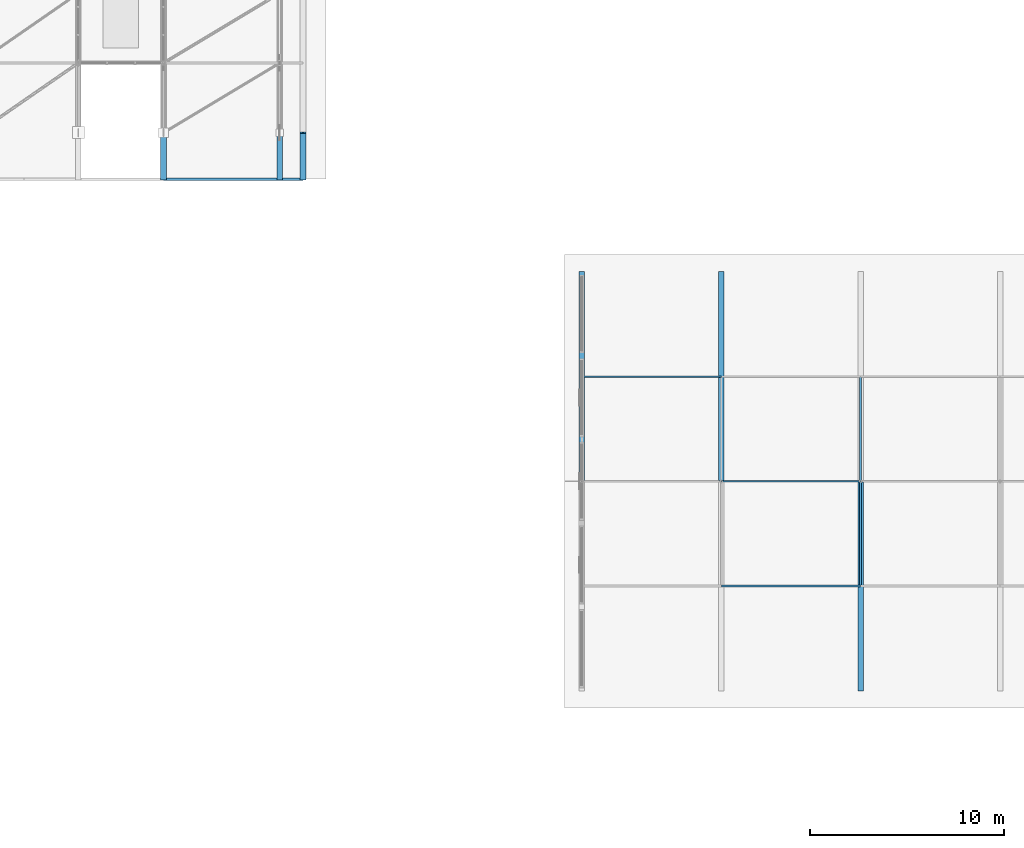
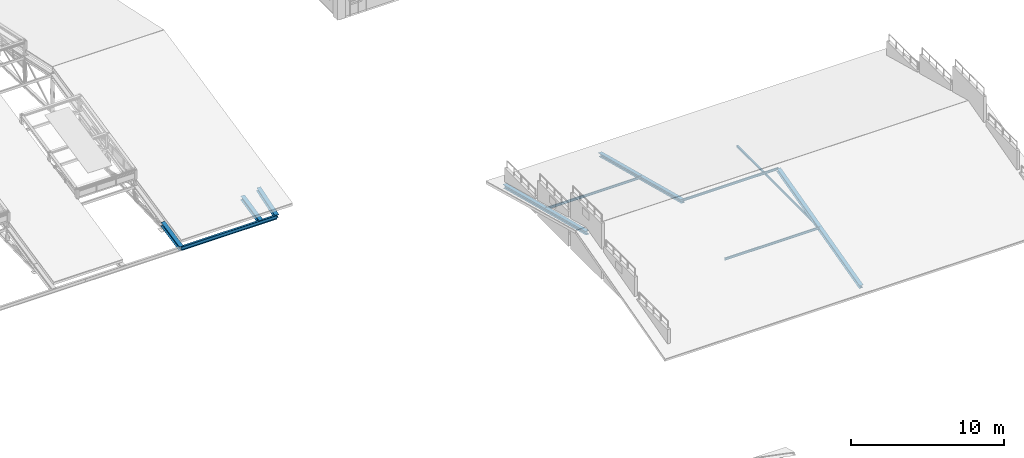
# One storey, part 25 of 124: 10 members, 1 beam.
"""IFC4 building model written with IfcOpenShell, lengths in metres."""

from ifc_helpers import new_model, si_unit, direction, frame, origin, origin_2d, place, context, subcontext, project, spatial, hollow_rectangle, i_section, extrude, material, material_profile, profile_set, type_object, element, save


model = new_model("IFC4")

# Units and contexts
model_context = context("Model", 3, precision=1e-05, world=origin(), true_north=direction((0.0, 1.0)))
body_context = subcontext(model_context, "Body", "Model", "MODEL_VIEW")
ifc_project = project(units=[si_unit("LENGTHUNIT", "METRE"), si_unit("AREAUNIT", "SQUARE_METRE"), si_unit("VOLUMEUNIT", "CUBIC_METRE"), si_unit("PLANEANGLEUNIT", "RADIAN"), si_unit("MASSUNIT", "GRAM", prefix="KILO"), si_unit("THERMODYNAMICTEMPERATUREUNIT", "KELVIN"), si_unit("POWERUNIT", "WATT")], contexts=[model_context])

# Site, building, storey
site_placement = place(None, origin())
site = spatial("IfcSite", under=ifc_project, at=site_placement, CompositionType="ELEMENT")
building_placement = place(site_placement, origin())
building = spatial("IfcBuilding", under=site, at=building_placement, Name="Tavuni Mirador Residences", CompositionType="ELEMENT")
storey_placement = place(building_placement, frame((0.0, 0.0, 7.64990234375)))
storey = spatial("IfcBuildingStorey", under=building, at=storey_placement, Name="L02", CompositionType="ELEMENT", Elevation=7.64990234375)

# Beam
ifc_material = material(Name="Structural steel S355", Category="steel")
ifc_material_profile_1 = material_profile(ifc_material, i_section(OverallWidth=0.14990234375, OverallDepth=0.300048828125, WebThickness=0.007080078125, FlangeThickness=0.0107421875, FilletRadius=0.014892578125, at=origin_2d()), Name="IPE 300", Category="steel")
ifc_profile_set_1 = profile_set([ifc_material_profile_1], Name="Structural steel S355")
beam_type = type_object("IfcBeamType", Name="BT-ST-IPE300", PredefinedType="BEAM", material=ifc_profile_set_1)
beam_placement = place(storey_placement, frame((68.39990234375, 69.60009765625, -0.6865234375), z_axis=(1.0, 0.0, 0.0), x_axis=(0.0, 1.0, 0.0)))
element("IfcBeam", 1, at=beam_placement, inside=storey, type_object=beam_type, Name="HALL-ERING-S-04", PredefinedType="BEAM", context=body_context, shape_type="SweptSolid", body=[
    extrude(i_section(OverallWidth=0.14990234375, OverallDepth=0.300048828125, WebThickness=0.007080078125, FlangeThickness=0.0107421875, FilletRadius=0.014892578125, at=origin_2d()), origin(), (0.0, 0.0, 1.0), 7.2001953125),
])

# Members
ifc_material_profile_2 = material_profile(ifc_material, hollow_rectangle(XDim=0.10009765625, YDim=0.14990234375, WallThickness=0.008056640625, at=origin_2d()), Name="RHS 150x100x8.0", Category="steel")
ifc_profile_set_2 = profile_set([ifc_material_profile_2], Name="Structural steel S355")
member_type_1 = type_object("IfcMemberType", Name="MT-BR-RHS150", PredefinedType="BRACE", material=ifc_profile_set_2)
member_1_placement = place(storey_placement, frame((104.39990234375, 48.60009765625, 1.050048828125), z_axis=(0.0, 1.0, 0.0), x_axis=(-1.0, 0.0, 0.0)))
element("IfcMember", 2, at=member_1_placement, inside=storey, type_object=member_type_1, Name="RTIE-PAV-NURS-02", PredefinedType="BRACE", context=body_context, shape_type="SweptSolid", body=[
    extrude(hollow_rectangle(XDim=0.10009765625, YDim=0.14990234375, WallThickness=0.008056640625, at=origin_2d()), origin(), (0.0, 0.0, 1.0), 10.7998046875),
])
ifc_material_profile_3 = material_profile(ifc_material, i_section(OverallWidth=0.280029296875, OverallDepth=0.27001953125, WebThickness=0.008056640625, FlangeThickness=0.012939453125, FilletRadius=0.02392578125, at=origin_2d()), Name="HEA 280", Category="steel")
ifc_profile_set_3 = profile_set([ifc_material_profile_3], Name="Structural steel S355")
member_type_2 = type_object("IfcMemberType", Name="MT-CH-HEA280", PredefinedType="CHORD", material=ifc_profile_set_3)
for number, where, z_axis, x_axis, name in (
    (3, (90.0, 54.0, 2.4501953125), (0.0, 0.967996110632, -0.250965196393), (-1.0, 0.0, 0.0), "RAF-PAV-NURS-00-N"),
    (4, (97.199951171875, 54.0, 2.4501953125), (0.0, 0.967996110632, -0.250965196393), (-1.0, 0.0, 0.0), "RAF-PAV-NURS-01-N"),
    (5, (104.39990234375, 43.199951171875, -0.349853515625), (0.0, 0.967996110632, 0.250965196393), (-1.0, 0.0, 0.0), "RAF-PAV-NURS-02-S"),
):
    element("IfcMember", number, at=place(storey_placement, frame(where, z_axis=z_axis, x_axis=x_axis)), inside=storey, type_object=member_type_2, Name=name, PredefinedType="CHORD", context=body_context, shape_type="SweptSolid", body=[
        extrude(i_section(OverallWidth=0.280029296875, OverallDepth=0.27001953125, WebThickness=0.008056640625, FlangeThickness=0.012939453125, FilletRadius=0.02392578125, at=origin_2d()), origin(), (0.0, 0.0, 1.0), 11.1572265625),
    ])
ifc_material_profile_4 = material_profile(ifc_material, i_section(OverallWidth=0.300048828125, OverallDepth=0.2900390625, WebThickness=0.008544921875, FlangeThickness=0.013916015625, FilletRadius=0.027099609375, at=origin_2d()), Name="HEA 300", Category="steel")
ifc_profile_set_4 = profile_set([ifc_material_profile_4], Name="Structural steel S355")
member_type_3 = type_object("IfcMemberType", Name="MT-CH-HEA300", PredefinedType="CHORD", material=ifc_profile_set_4)
member_2_placement = place(storey_placement, frame((75.60009765625, 69.60009765625, -0.6865234375), z_axis=(0.0, 0.950827717429, 0.309720279879), x_axis=(-1.0, 0.0, 0.0)))
element("IfcMember", 6, at=member_2_placement, inside=storey, type_object=member_type_3, Name="HALL-GAB-E-ES", PredefinedType="CHORD", context=body_context, shape_type="SweptSolid", body=[
    extrude(i_section(OverallWidth=0.300048828125, OverallDepth=0.2900390625, WebThickness=0.008544921875, FlangeThickness=0.013916015625, FilletRadius=0.027099609375, at=origin_2d()), origin(), (0.0, 0.0, 1.0), 2.52392578125),
])
ifc_material_profile_5 = material_profile(ifc_material, i_section(OverallWidth=0.300048828125, OverallDepth=0.330078125, WebThickness=0.009521484375, FlangeThickness=0.0166015625, FilletRadius=0.027099609375, at=origin_2d()), Name="HEA 340", Category="steel")
ifc_profile_set_5 = profile_set([ifc_material_profile_5], Name="Structural steel S355")
member_type_4 = type_object("IfcMemberType", Name="MT-CH-HEA340", PredefinedType="CHORD", material=ifc_profile_set_5)
for number, where, z_axis, x_axis, name in (
    (7, (68.39990234375, 69.60009765625, -0.6865234375), (0.0, 0.977606968822, 0.210439099291), (-1.0, 0.0, 0.0), "Roof truss TR-7 south eave chord"),
    (8, (74.39990234375, 69.60009765625, -0.6865234375), (0.0, 0.977606968822, 0.210439099291), (-1.0, 0.0, 0.0), "Roof truss TR-8 south eave chord"),
):
    element("IfcMember", number, at=place(storey_placement, frame(where, z_axis=z_axis, x_axis=x_axis)), inside=storey, type_object=member_type_4, Name=name, PredefinedType="CHORD", context=body_context, shape_type="SweptSolid", body=[
        extrude(i_section(OverallWidth=0.300048828125, OverallDepth=0.330078125, WebThickness=0.009521484375, FlangeThickness=0.0166015625, FilletRadius=0.027099609375, at=origin_2d()), origin(), (0.0, 0.0, 1.0), 2.454833984375),
    ])
ifc_material_profile_6 = material_profile(ifc_material, i_section(OverallWidth=0.091064453125, OverallDepth=0.179931640625, WebThickness=0.00537109375, FlangeThickness=0.008056640625, FilletRadius=0.009033203125, at=origin_2d()), Name="IPE 180", Category="steel")
ifc_profile_set_6 = profile_set([ifc_material_profile_6], Name="Structural steel S355")
member_type_5 = type_object("IfcMemberType", Name="MT-PR-IPE180", PredefinedType="PURLIN", material=ifc_profile_set_6)
for number, where, z_axis, x_axis, name in (
    (9, (97.199951171875, 48.60009765625, 1.09521484375), (1.0, 0.0, 0.0), (0.0, 1.0, 0.0), "RPUR-PAV-NURS-25-01"),
    (10, (97.199951171875, 54.0, 2.545166015625), (1.0, 0.0, 0.0), (0.0, 1.0, 0.0), "RPUR-PAV-NURS-50-01"),
    (11, (90.0, 59.39990234375, 1.09521484375), (1.0, 0.0, 0.0), (0.0, 1.0, 0.0), "RPUR-PAV-NURS-75-00"),
):
    element("IfcMember", number, at=place(storey_placement, frame(where, z_axis=z_axis, x_axis=x_axis)), inside=storey, type_object=member_type_5, Name=name, PredefinedType="PURLIN", context=body_context, shape_type="SweptSolid", body=[
        extrude(i_section(OverallWidth=0.091064453125, OverallDepth=0.179931640625, WebThickness=0.00537109375, FlangeThickness=0.008056640625, FilletRadius=0.009033203125, at=origin_2d()), origin(), (0.0, 0.0, 1.0), 7.199951171875),
    ])

save(model, "model.ifc")
